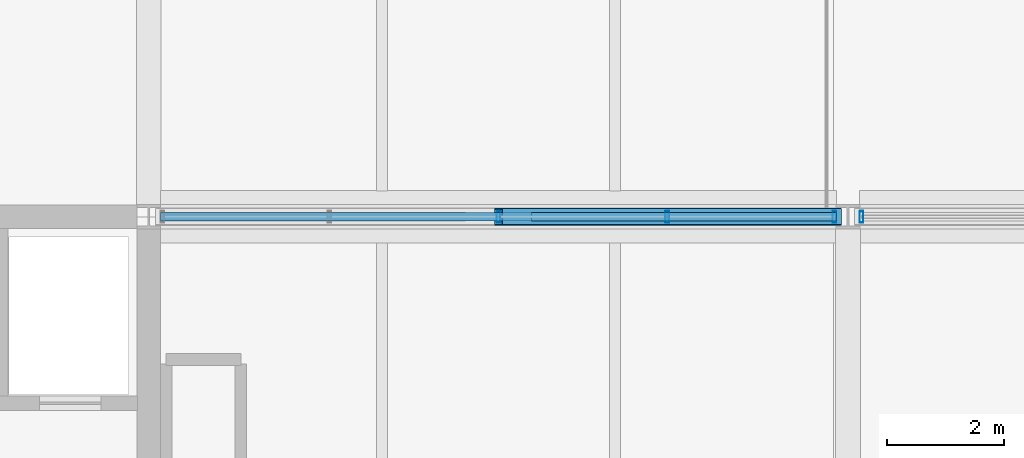
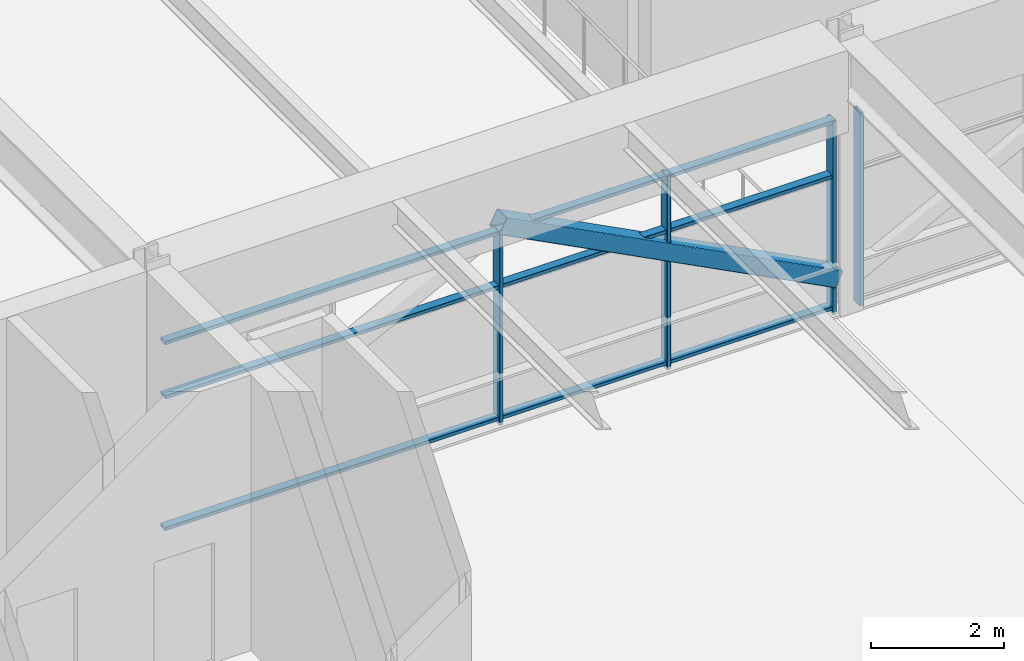
# One storey, part 17 of 42: 8 members, 2 elements without a shape of their own.
"""IFC4 building model written with IfcOpenShell, lengths in metres."""

from ifc_helpers import new_model, si_unit, direction, frame, origin, origin_2d, place, context, subcontext, project, spatial, hollow_rectangle, extrude, material, material_profile, profile_set, type_object, element, aggregate, save


model = new_model("IFC4")

# Units and contexts
model_context = context("Model", 3, precision=1e-05, world=origin(), true_north=direction((0.0, 1.0)))
body_context = subcontext(model_context, "Body", "Model", "MODEL_VIEW")
ifc_project = project(units=[si_unit("LENGTHUNIT", "METRE"), si_unit("AREAUNIT", "SQUARE_METRE"), si_unit("VOLUMEUNIT", "CUBIC_METRE"), si_unit("PLANEANGLEUNIT", "RADIAN"), si_unit("MASSUNIT", "GRAM", prefix="KILO")], contexts=[model_context])

# Site, building, storey
site_placement = place(None, origin())
site = spatial("IfcSite", under=ifc_project, at=site_placement, CompositionType="ELEMENT")
building_placement = place(site_placement, origin())
building = spatial("IfcBuilding", under=site, at=building_placement, Name="Girod Span Mobility Hub", CompositionType="ELEMENT")
storey_placement = place(building_placement, frame((0.0, 0.0, 32.39990234375)))
storey = spatial("IfcBuildingStorey", under=building, at=storey_placement, Name="L08", CompositionType="ELEMENT", Elevation=32.39990234375)

# Curtain wall, members
ifc_material_1 = material(Name="Thermally Broken Anodised Aluminium", Category="aluminium")
curtain_wall_type = type_object("IfcCurtainWallType", Name="CW-1160X354", PredefinedType="USERDEFINED", material=ifc_material_1)
curtain_wall_1_placement = place(storey_placement, origin())
curtain_wall_1 = element("IfcCurtainWall", 1, at=curtain_wall_1_placement, inside=storey, type_object=curtain_wall_type, Name="Unitised Curtain Wall CW-L08-N06 L08", ObjectType="UNITISED CURTAIN WALL", PredefinedType="USERDEFINED")
ifc_material_2 = material(Name="Thermally Broken Anodised Aluminium", Category="aluminium")
ifc_material_profile_1 = material_profile(ifc_material_2, hollow_rectangle(XDim=0.199951171875, YDim=0.06494140625, WallThickness=0.00390625, InnerFilletRadius=0.00390625, OuterFilletRadius=0.008056640625, at=origin_2d()), Name="CW-ML-65X200")
ifc_profile_set_1 = profile_set([ifc_material_profile_1], Name="Thermally Broken Anodised Aluminium")
member_type_1 = type_object("IfcMemberType", Name="CWM-ML-1", PredefinedType="MULLION", material=ifc_profile_set_1)
member_1_placement = place(storey_placement, frame((66.0, 69.0, 0.0), z_axis=(0.0, 0.0, 1.0), x_axis=(0.0, 1.0, 0.0)))
member_1 = element("IfcMember", 2, at=member_1_placement, type_object=member_type_1, Name="Curtain Wall Mullion CW-L08-N06-M2", PredefinedType="MULLION", context=body_context, shape_type="SweptSolid", body=[
    extrude(hollow_rectangle(XDim=0.199951171875, YDim=0.06494140625, WallThickness=0.00390625, InnerFilletRadius=0.00390625, OuterFilletRadius=0.008056640625, at=origin_2d()), origin(), (0.0, 0.0, 1.0), 3.5400390625),
])
member_2_placement = place(storey_placement, frame((68.8994140625, 69.0, 0.0), z_axis=(0.0, 0.0, 1.0), x_axis=(0.0, 1.0, 0.0)))
member_2 = element("IfcMember", 3, at=member_2_placement, type_object=member_type_1, Name="Curtain Wall Mullion CW-L08-N06-M3", PredefinedType="MULLION", context=body_context, shape_type="SweptSolid", body=[
    extrude(hollow_rectangle(XDim=0.199951171875, YDim=0.06494140625, WallThickness=0.00390625, InnerFilletRadius=0.00390625, OuterFilletRadius=0.008056640625, at=origin_2d()), origin(), (0.0, 0.0, 1.0), 3.5400390625),
])
member_3_placement = place(storey_placement, frame((71.76708984375, 69.0, 0.0), z_axis=(0.0, 0.0, 1.0), x_axis=(0.0, 1.0, 0.0)))
member_3 = element("IfcMember", 4, at=member_3_placement, type_object=member_type_1, Name="Curtain Wall Mullion CW-L08-N06-M4", PredefinedType="MULLION", context=body_context, shape_type="SweptSolid", body=[
    extrude(hollow_rectangle(XDim=0.199951171875, YDim=0.06494140625, WallThickness=0.00390625, InnerFilletRadius=0.00390625, OuterFilletRadius=0.008056640625, at=origin_2d()), origin(), (0.0, 0.0, 1.0), 3.5400390625),
])

# Curtain wall, member
curtain_wall_2_placement = place(storey_placement, origin())
curtain_wall_2 = element("IfcCurtainWall", 5, at=curtain_wall_2_placement, inside=storey, type_object=curtain_wall_type, Name="Unitised Curtain Wall CW-L08-N07 L08", ObjectType="UNITISED CURTAIN WALL", PredefinedType="USERDEFINED")
member_4_placement = place(storey_placement, frame((72.23291015625, 69.0, 0.0), z_axis=(0.0, 0.0, 1.0), x_axis=(0.0, 1.0, 0.0)))
member_4 = element("IfcMember", 6, at=member_4_placement, type_object=member_type_1, Name="Curtain Wall Mullion CW-L08-N07-M0", PredefinedType="MULLION", context=body_context, shape_type="SweptSolid", body=[
    extrude(hollow_rectangle(XDim=0.199951171875, YDim=0.06494140625, WallThickness=0.00390625, InnerFilletRadius=0.00390625, OuterFilletRadius=0.008056640625, at=origin_2d()), origin(), (0.0, 0.0, 1.0), 3.5400390625),
])
aggregate(curtain_wall_2, [member_4])

# Member
ifc_material_3 = material(Name="Thermally Broken Anodised Aluminium", Category="aluminium")
ifc_material_profile_2 = material_profile(ifc_material_3, hollow_rectangle(XDim=0.14990234375, YDim=0.06494140625, WallThickness=0.00390625, InnerFilletRadius=0.00390625, OuterFilletRadius=0.008056640625, at=origin_2d()), Name="CW-TR-65X150")
ifc_profile_set_2 = profile_set([ifc_material_profile_2], Name="Thermally Broken Anodised Aluminium")
member_type_2 = type_object("IfcMemberType", Name="CWM-TR-1", PredefinedType="USERDEFINED", material=ifc_profile_set_2)
member_5_placement = place(storey_placement, frame((60.200927734375, 69.0, 0.107666015625), z_axis=(1.0, 0.0, 0.0), x_axis=(0.0, 1.0, 0.0)))
member_5 = element("IfcMember", 7, at=member_5_placement, type_object=member_type_2, Name="Curtain Wall Transom CW-L08-N06-T1", ObjectType="TRANSOM", PredefinedType="USERDEFINED", context=body_context, shape_type="SweptSolid", body=[
    extrude(hollow_rectangle(XDim=0.14990234375, YDim=0.06494140625, WallThickness=0.00390625, InnerFilletRadius=0.00390625, OuterFilletRadius=0.008056640625, at=origin_2d()), origin(), (0.0, 0.0, 1.0), 11.59814453125),
])

member_6_placement = place(storey_placement, frame((60.200927734375, 69.0, 2.516357421875), z_axis=(1.0, 0.0, 0.0), x_axis=(0.0, 1.0, 0.0)))
member_6 = element("IfcMember", 8, at=member_6_placement, type_object=member_type_2, Name="Curtain Wall Transom CW-L08-N06-T2", ObjectType="TRANSOM", PredefinedType="USERDEFINED", context=body_context, shape_type="SweptSolid", body=[
    extrude(hollow_rectangle(XDim=0.14990234375, YDim=0.06494140625, WallThickness=0.00390625, InnerFilletRadius=0.00390625, OuterFilletRadius=0.008056640625, at=origin_2d()), origin(), (0.0, 0.0, 1.0), 11.59814453125),
])

member_7_placement = place(storey_placement, frame((60.200927734375, 69.0, 3.507568359375), z_axis=(1.0, 0.0, 0.0), x_axis=(0.0, 1.0, 0.0)))
member_7 = element("IfcMember", 9, at=member_7_placement, type_object=member_type_2, Name="Curtain Wall Transom CW-L08-N06-T3", ObjectType="TRANSOM", PredefinedType="USERDEFINED", context=body_context, shape_type="SweptSolid", body=[
    extrude(hollow_rectangle(XDim=0.14990234375, YDim=0.06494140625, WallThickness=0.00390625, InnerFilletRadius=0.00390625, OuterFilletRadius=0.008056640625, at=origin_2d()), origin(), (0.0, 0.0, 1.0), 11.59814453125),
])

aggregate(curtain_wall_1, [member_1, member_2, member_3, member_5, member_6, member_7])

ifc_material_4 = material(Name="Steel HSS A500 Grade C", Category="steel")
ifc_material_profile_3 = material_profile(ifc_material_4, hollow_rectangle(XDim=0.304931640625, YDim=0.304931640625, WallThickness=0.014892578125, InnerFilletRadius=0.014892578125, OuterFilletRadius=0.029541015625, at=origin_2d()), Name="HSS305X305X16")
ifc_profile_set_3 = profile_set([ifc_material_profile_3], Name="Steel HSS A500 Grade C")
member_type_3 = type_object("IfcMemberType", Name="MB-BR-HSS305", PredefinedType="BRACE", material=ifc_profile_set_3)
member_8_placement = place(storey_placement, frame((71.81689453125, 69.0, 0.650146484375), z_axis=(-0.888138427159, 0.0, 0.459576037457), x_axis=(0.0, -1.0, 0.0)))
element("IfcMember", 10, at=member_8_placement, inside=storey, type_object=member_type_3, Name="Warren Transfer Truss Web Diagonal Y=69 6-R", PredefinedType="BRACE", context=body_context, shape_type="SweptSolid", body=[
    extrude(hollow_rectangle(XDim=0.304931640625, YDim=0.304931640625, WallThickness=0.014892578125, InnerFilletRadius=0.014892578125, OuterFilletRadius=0.029541015625, at=origin_2d()), origin(), (0.0, 0.0, 1.0), 6.549560546875),
])

save(model, "model.ifc")
